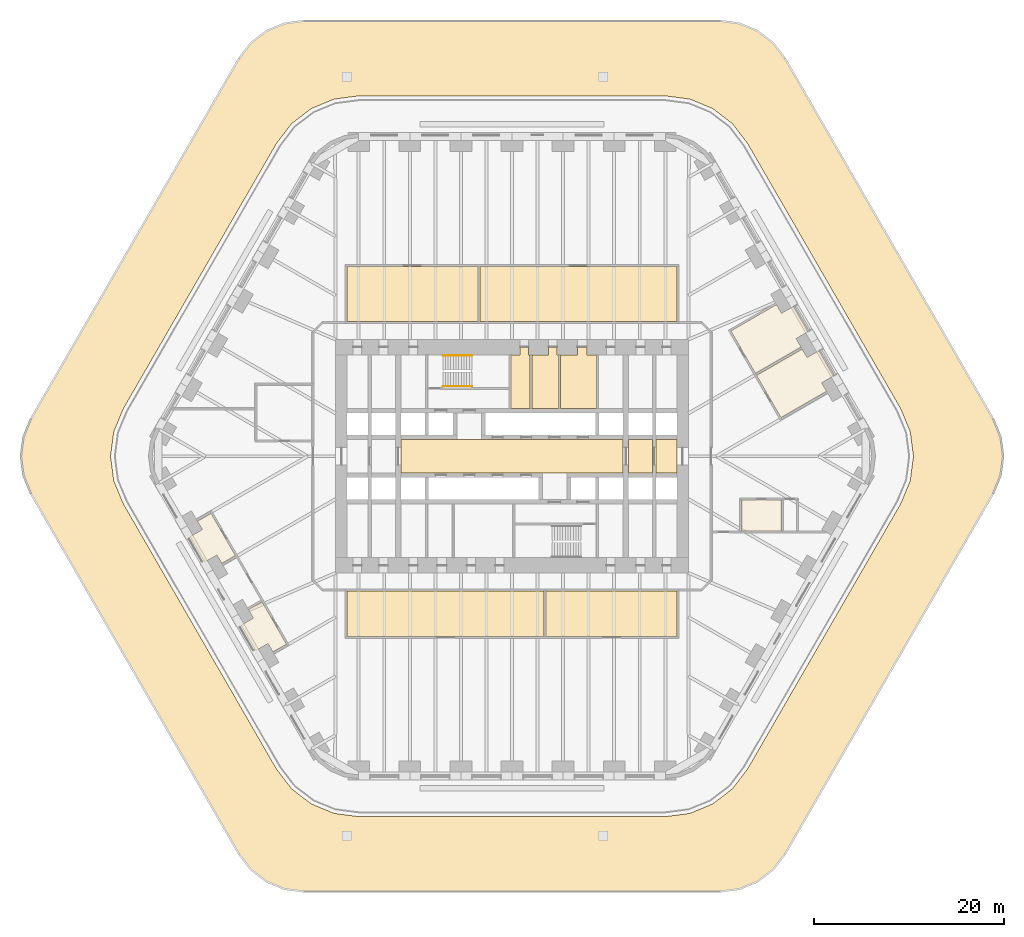
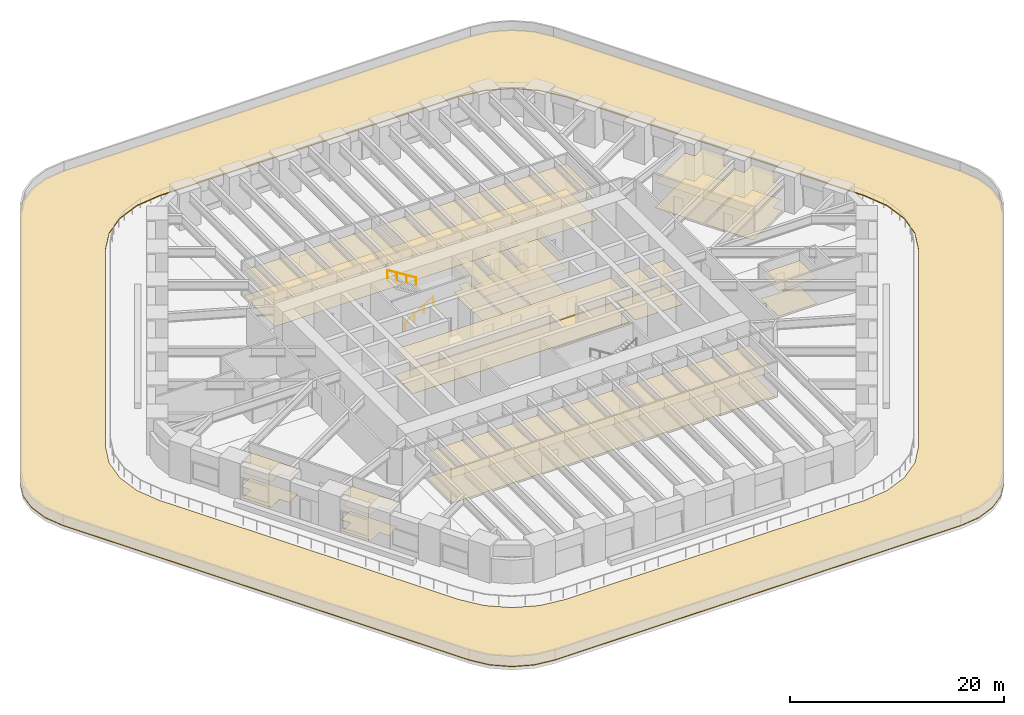
# One storey, part 16 of 17: 15 coverings, 2 railings.
"""IFC4 building model written with IfcOpenShell, lengths in metres."""

from ifc_helpers import new_model, si_unit, direction, frame, origin, origin_2d, place, context, subcontext, project, spatial, polyline, circle, outline, extrude, material, layer, layer_set, type_object, element, save


model = new_model("IFC4")

# Units and contexts
model_context = context("Model", 3, precision=1e-05, world=origin(), true_north=direction((0.0, 1.0)))
body_context = subcontext(model_context, "Body", "Model", "MODEL_VIEW")
ifc_project = project(units=[si_unit("LENGTHUNIT", "METRE"), si_unit("AREAUNIT", "SQUARE_METRE"), si_unit("VOLUMEUNIT", "CUBIC_METRE"), si_unit("PLANEANGLEUNIT", "RADIAN"), si_unit("MASSUNIT", "GRAM", prefix="KILO")], contexts=[model_context])

# Site, building, storey
site_placement = place(None, origin())
site = spatial("IfcSite", under=ifc_project, at=site_placement, CompositionType="ELEMENT")
building_placement = place(site_placement, origin())
building = spatial("IfcBuilding", under=site, at=building_placement, Name="Tarfa Lantern Tower", CompositionType="ELEMENT")
storey_placement = place(building_placement, frame((0.0, 0.0, 23.5)))
storey = spatial("IfcBuildingStorey", under=building, at=storey_placement, Name="L04", CompositionType="ELEMENT", Elevation=23.5)

# Coverings
ifc_material_1 = material(Name="Mineral fibre acoustic tile on suspension grid", Category="finish")
ifc_layer_1 = layer(ifc_material_1, 0.02001953125)
ifc_layer_set_1 = layer_set([ifc_layer_1], Name="CL1 ACOUSTIC TILE CEILING 20")
covering_type_1 = type_object("IfcCoveringType", Name="CL1 ACOUSTIC TILE CEILING 20", PredefinedType="CEILING", material=ifc_layer_set_1)
covering_1_placement = place(storey_placement, frame((0.0, 0.0, 2.89990234375)))
element("IfcCovering", 1, at=covering_1_placement, inside=storey, type_object=covering_type_1, Name="Ceiling L04 CL1", PredefinedType="CEILING", context=body_context, shape_type="SweptSolid", body=[
    extrude(outline(polyline([(-17.39990234375, 20.0), (-3.60009765625, 20.0), (-3.60009765625, 14.199951171875), (-17.39990234375, 14.199951171875), (-17.39990234375, 20.0)])), origin(), (0.0, 0.0, 1.0), 0.02001953125),
    extrude(outline(polyline([(-3.39990234375, 20.0), (17.39990234375, 20.0), (17.39990234375, 14.199951171875), (-3.39990234375, 14.199951171875), (-3.39990234375, 20.0)])), origin(), (0.0, 0.0, 1.0), 0.02001953125),
    extrude(outline(polyline([(3.60009765625, -14.199951171875), (17.39990234375, -14.199951171875), (17.39990234375, -19.0), (3.60009765625, -19.0), (3.60009765625, -14.199951171875)])), origin(), (0.0, 0.0, 1.0), 0.02001953125),
    extrude(outline(polyline([(-17.39990234375, -14.199951171875), (3.39990234375, -14.199951171875), (3.39990234375, -19.0), (-17.39990234375, -19.0), (-17.39990234375, -14.199951171875)])), origin(), (0.0, 0.0, 1.0), 0.02001953125),
    extrude(outline(polyline([(25.780517578125, 8.546630859375), (30.5869140625, 11.32177734375), (31.112060546875, 10.412353515625), (32.4111328125, 11.162353515625), (33.955322265625, 8.487548828125), (32.65625, 7.737548828125), (33.181396484375, 6.828369140625), (28.375, 4.05322265625), (25.780517578125, 8.546630859375)])), origin(), (0.0, 0.0, 1.0), 0.02001953125),
    extrude(outline(polyline([(23.086181640625, 13.21337890625), (27.892822265625, 15.98828125), (28.417724609375, 15.0791015625), (29.716796875, 15.8291015625), (31.260986328125, 13.154296875), (29.9619140625, 12.404296875), (30.487060546875, 11.494873046875), (25.6806640625, 8.719970703125), (23.086181640625, 13.21337890625)])), origin(), (0.0, 0.0, 1.0), 0.02001953125),
    extrude(outline(polyline([(-29.157958984375, -10.496826171875), (-30.5869140625, -11.32177734375), (-31.112060546875, -10.412353515625), (-32.4111328125, -11.162353515625), (-33.955322265625, -8.487548828125), (-32.65625, -7.737548828125), (-33.181396484375, -6.828369140625), (-31.75244140625, -6.003173828125), (-29.157958984375, -10.496826171875)])), origin(), (0.0, 0.0, 1.0), 0.02001953125),
    extrude(outline(polyline([(-23.76953125, -19.830078125), (-25.198486328125, -20.655029296875), (-25.723388671875, -19.745849609375), (-27.0224609375, -20.495849609375), (-28.566650390625, -17.821044921875), (-27.267822265625, -17.071044921875), (-27.792724609375, -16.16162109375), (-26.36376953125, -15.336669921875), (-23.76953125, -19.830078125)])), origin(), (0.0, 0.0, 1.0), 0.02001953125),
    extrude(outline(polyline([(28.405517578125, -4.60009765625), (28.405517578125, -7.89990234375), (24.205322265625, -7.89990234375), (24.205322265625, -4.60009765625), (28.405517578125, -4.60009765625)])), origin(), (0.0, 0.0, 1.0), 0.02001953125),
])
ifc_material_2 = material(Name="Moisture-resistant plasterboard", Category="finish")
ifc_layer_2 = layer(ifc_material_2, 0.014892578125)
ifc_layer_set_2 = layer_set([ifc_layer_2], Name="CL2 MOISTURE-RESISTANT PLASTERBOARD CEILING 15")
covering_type_2 = type_object("IfcCoveringType", Name="CL2 MOISTURE-RESISTANT PLASTERBOARD CEILING 15", PredefinedType="CEILING", material=ifc_layer_set_2)
covering_2_placement = place(storey_placement, frame((0.0, 0.0, 2.89990234375)))
element("IfcCovering", 2, at=covering_2_placement, inside=storey, type_object=covering_type_2, Name="Ceiling L04-09", PredefinedType="CEILING", context=body_context, shape_type="SweptSolid", body=[
    extrude(outline(polyline([(0.85009765625, 10.699951171875), (-0.10009765625, 10.699951171875), (-0.10009765625, 5.050048828125), (1.89990234375, 5.050048828125), (1.89990234375, 10.699951171875), (1.75, 10.699951171875), (1.75, 11.5), (1.75, 11.5), (0.85009765625, 11.5), (0.85009765625, 10.699951171875)])), origin(), (0.0, 0.0, 1.0), 0.01513671875),
])
covering_3_placement = place(storey_placement, frame((0.0, 0.0, 2.89990234375)))
element("IfcCovering", 3, at=covering_3_placement, inside=storey, type_object=covering_type_2, Name="Ceiling L04-10", PredefinedType="CEILING", context=body_context, shape_type="SweptSolid", body=[
    extrude(outline(polyline([(2.10009765625, 5.050048828125), (4.89990234375, 5.050048828125), (4.89990234375, 10.699951171875), (4.75, 10.699951171875), (4.75, 11.5), (3.85009765625, 11.5), (3.85009765625, 10.699951171875), (2.10009765625, 10.699951171875), (2.10009765625, 5.050048828125)])), origin(), (0.0, 0.0, 1.0), 0.01513671875),
])
covering_4_placement = place(storey_placement, frame((0.0, 0.0, 2.89990234375)))
element("IfcCovering", 4, at=covering_4_placement, inside=storey, type_object=covering_type_2, Name="Ceiling L04-11", PredefinedType="CEILING", context=body_context, shape_type="SweptSolid", body=[
    extrude(outline(polyline([(5.10009765625, 5.050048828125), (8.89990234375, 5.050048828125), (8.89990234375, 10.699951171875), (7.89990234375, 10.699951171875), (7.89990234375, 11.5), (6.89990234375, 11.5), (6.89990234375, 10.699951171875), (5.10009765625, 10.699951171875), (5.10009765625, 5.050048828125)])), origin(), (0.0, 0.0, 1.0), 0.01513671875),
])
ifc_material_3 = material(Name="Powder-coated aluminium panel", Category="aluminium")
ifc_layer_3 = layer(ifc_material_3, 0.030029296875)
ifc_layer_set_3 = layer_set([ifc_layer_3], Name="CL3 METAL PANEL CEILING 30")
covering_type_3 = type_object("IfcCoveringType", Name="CL3 METAL PANEL CEILING 30", PredefinedType="CEILING", material=ifc_layer_set_3)
covering_5_placement = place(storey_placement, frame((0.0, 0.0, 2.89990234375)))
element("IfcCovering", 5, at=covering_5_placement, inside=storey, type_object=covering_type_3, Name="Ceiling L04-03", PredefinedType="CEILING", context=body_context, shape_type="SweptSolid", body=[
    extrude(outline(polyline([(-11.699951171875, -1.75), (11.699951171875, -1.75), (11.699951171875, 1.75), (-11.699951171875, 1.75), (-11.699951171875, -1.75)])), origin(), (0.0, 0.0, 1.0), 0.030029296875),
])
covering_6_placement = place(storey_placement, frame((0.0, 0.0, 2.89990234375)))
element("IfcCovering", 6, at=covering_6_placement, inside=storey, type_object=covering_type_3, Name="Ceiling L04-04", PredefinedType="CEILING", context=body_context, shape_type="SweptSolid", body=[
    extrude(outline(polyline([(12.300048828125, -1.75), (14.800048828125, -1.75), (14.800048828125, 1.75), (12.300048828125, 1.75), (12.300048828125, -1.75)])), origin(), (0.0, 0.0, 1.0), 0.030029296875),
])
covering_7_placement = place(storey_placement, frame((0.0, 0.0, 2.89990234375)))
element("IfcCovering", 7, at=covering_7_placement, inside=storey, type_object=covering_type_3, Name="Ceiling L04-05", PredefinedType="CEILING", context=body_context, shape_type="SweptSolid", body=[
    extrude(outline(polyline([(15.199951171875, -1.75), (17.39990234375, -1.75), (17.39990234375, 1.75), (15.199951171875, 1.75), (15.199951171875, -1.75)])), origin(), (0.0, 0.0, 1.0), 0.030029296875),
])
ifc_material_4 = material(Name="Nylon carpet tile", Category="finish")
ifc_layer_4 = layer(ifc_material_4, 0.010009765625)
ifc_layer_set_4 = layer_set([ifc_layer_4], Name="FL1 CARPET TILE 10")
covering_type_4 = type_object("IfcCoveringType", Name="FL1 CARPET TILE 10", PredefinedType="FLOORING", material=ifc_layer_set_4)
covering_8_placement = place(storey_placement, origin())
element("IfcCovering", 8, at=covering_8_placement, inside=storey, type_object=covering_type_4, Name="Floor finish L04 FL1", PredefinedType="FLOORING", context=body_context, shape_type="SweptSolid", body=[
    extrude(outline(polyline([(-17.39990234375, 20.0), (-3.60009765625, 20.0), (-3.60009765625, 14.199951171875), (-17.39990234375, 14.199951171875), (-17.39990234375, 20.0)])), origin(), (0.0, 0.0, 1.0), 0.010009765625),
    extrude(outline(polyline([(-3.39990234375, 20.0), (17.39990234375, 20.0), (17.39990234375, 14.199951171875), (-3.39990234375, 14.199951171875), (-3.39990234375, 20.0)])), origin(), (0.0, 0.0, 1.0), 0.010009765625),
    extrude(outline(polyline([(3.60009765625, -14.199951171875), (17.39990234375, -14.199951171875), (17.39990234375, -19.0), (3.60009765625, -19.0), (3.60009765625, -14.199951171875)])), origin(), (0.0, 0.0, 1.0), 0.010009765625),
    extrude(outline(polyline([(-17.39990234375, -14.199951171875), (3.39990234375, -14.199951171875), (3.39990234375, -19.0), (-17.39990234375, -19.0), (-17.39990234375, -14.199951171875)])), origin(), (0.0, 0.0, 1.0), 0.010009765625),
    extrude(outline(polyline([(25.780517578125, 8.546630859375), (30.5869140625, 11.32177734375), (31.112060546875, 10.412353515625), (32.4111328125, 11.162353515625), (33.955322265625, 8.487548828125), (32.65625, 7.737548828125), (33.181396484375, 6.828369140625), (28.375, 4.05322265625), (25.780517578125, 8.546630859375)])), origin(), (0.0, 0.0, 1.0), 0.010009765625),
    extrude(outline(polyline([(23.086181640625, 13.21337890625), (27.892822265625, 15.98828125), (28.417724609375, 15.0791015625), (29.716796875, 15.8291015625), (31.260986328125, 13.154296875), (29.9619140625, 12.404296875), (30.487060546875, 11.494873046875), (25.6806640625, 8.719970703125), (23.086181640625, 13.21337890625)])), origin(), (0.0, 0.0, 1.0), 0.010009765625),
    extrude(outline(polyline([(-29.157958984375, -10.496826171875), (-30.5869140625, -11.32177734375), (-31.112060546875, -10.412353515625), (-32.4111328125, -11.162353515625), (-33.955322265625, -8.487548828125), (-32.65625, -7.737548828125), (-33.181396484375, -6.828369140625), (-31.75244140625, -6.003173828125), (-29.157958984375, -10.496826171875)])), origin(), (0.0, 0.0, 1.0), 0.010009765625),
    extrude(outline(polyline([(-23.76953125, -19.830078125), (-25.198486328125, -20.655029296875), (-25.723388671875, -19.745849609375), (-27.0224609375, -20.495849609375), (-28.566650390625, -17.821044921875), (-27.267822265625, -17.071044921875), (-27.792724609375, -16.16162109375), (-26.36376953125, -15.336669921875), (-23.76953125, -19.830078125)])), origin(), (0.0, 0.0, 1.0), 0.010009765625),
    extrude(outline(polyline([(28.405517578125, -4.60009765625), (28.405517578125, -7.89990234375), (24.205322265625, -7.89990234375), (24.205322265625, -4.60009765625), (28.405517578125, -4.60009765625)])), origin(), (0.0, 0.0, 1.0), 0.010009765625),
])
ifc_material_5 = material(Name="Honed limestone flooring", Category="masonry")
ifc_layer_5 = layer(ifc_material_5, 0.030029296875)
ifc_layer_set_5 = layer_set([ifc_layer_5], Name="FL2 STONE FLOORING 30")
covering_type_5 = type_object("IfcCoveringType", Name="FL2 STONE FLOORING 30", PredefinedType="FLOORING", material=ifc_layer_set_5)
covering_9_placement = place(storey_placement, origin())
element("IfcCovering", 9, at=covering_9_placement, inside=storey, type_object=covering_type_5, Name="Floor finish L04-03", PredefinedType="FLOORING", context=body_context, shape_type="SweptSolid", body=[
    extrude(outline(polyline([(-11.699951171875, -1.75), (11.699951171875, -1.75), (11.699951171875, 1.75), (-11.699951171875, 1.75), (-11.699951171875, -1.75)])), origin(), (0.0, 0.0, 1.0), 0.030029296875),
])
covering_10_placement = place(storey_placement, origin())
element("IfcCovering", 10, at=covering_10_placement, inside=storey, type_object=covering_type_5, Name="Floor finish L04-04", PredefinedType="FLOORING", context=body_context, shape_type="SweptSolid", body=[
    extrude(outline(polyline([(12.300048828125, -1.75), (14.800048828125, -1.75), (14.800048828125, 1.75), (12.300048828125, 1.75), (12.300048828125, -1.75)])), origin(), (0.0, 0.0, 1.0), 0.030029296875),
])
covering_11_placement = place(storey_placement, origin())
element("IfcCovering", 11, at=covering_11_placement, inside=storey, type_object=covering_type_5, Name="Floor finish L04-05", PredefinedType="FLOORING", context=body_context, shape_type="SweptSolid", body=[
    extrude(outline(polyline([(15.199951171875, -1.75), (17.39990234375, -1.75), (17.39990234375, 1.75), (15.199951171875, 1.75), (15.199951171875, -1.75)])), origin(), (0.0, 0.0, 1.0), 0.030029296875),
])
ifc_material_6 = material(Name="Porcelain floor tile", Category="finish")
ifc_layer_6 = layer(ifc_material_6, 0.011962890625)
ifc_layer_set_6 = layer_set([ifc_layer_6], Name="FL3 CERAMIC TILE 12")
covering_type_6 = type_object("IfcCoveringType", Name="FL3 CERAMIC TILE 12", PredefinedType="FLOORING", material=ifc_layer_set_6)
covering_12_placement = place(storey_placement, origin())
element("IfcCovering", 12, at=covering_12_placement, inside=storey, type_object=covering_type_6, Name="Floor finish L04-09", PredefinedType="FLOORING", context=body_context, shape_type="SweptSolid", body=[
    extrude(outline(polyline([(0.85009765625, 10.699951171875), (-0.10009765625, 10.699951171875), (-0.10009765625, 5.050048828125), (1.89990234375, 5.050048828125), (1.89990234375, 10.699951171875), (1.75, 10.699951171875), (1.75, 11.5), (1.75, 11.5), (0.85009765625, 11.5), (0.85009765625, 10.699951171875)])), origin(), (0.0, 0.0, 1.0), 0.011962890625),
])
covering_13_placement = place(storey_placement, origin())
element("IfcCovering", 13, at=covering_13_placement, inside=storey, type_object=covering_type_6, Name="Floor finish L04-10", PredefinedType="FLOORING", context=body_context, shape_type="SweptSolid", body=[
    extrude(outline(polyline([(2.10009765625, 5.050048828125), (4.89990234375, 5.050048828125), (4.89990234375, 10.699951171875), (4.75, 10.699951171875), (4.75, 11.5), (3.85009765625, 11.5), (3.85009765625, 10.699951171875), (2.10009765625, 10.699951171875), (2.10009765625, 5.050048828125)])), origin(), (0.0, 0.0, 1.0), 0.011962890625),
])
covering_14_placement = place(storey_placement, origin())
element("IfcCovering", 14, at=covering_14_placement, inside=storey, type_object=covering_type_6, Name="Floor finish L04-11", PredefinedType="FLOORING", context=body_context, shape_type="SweptSolid", body=[
    extrude(outline(polyline([(5.10009765625, 5.050048828125), (8.89990234375, 5.050048828125), (8.89990234375, 10.699951171875), (7.89990234375, 10.699951171875), (7.89990234375, 11.5), (6.89990234375, 11.5), (6.89990234375, 10.699951171875), (5.10009765625, 10.699951171875), (5.10009765625, 5.050048828125)])), origin(), (0.0, 0.0, 1.0), 0.011962890625),
])

# Railings
ifc_material_7 = material(Name="Stainless steel", Category="steel")
railing_type = type_object("IfcRailingType", Name="HR1 HANDRAIL 900", PredefinedType="HANDRAIL", material=ifc_material_7)
railing_1_placement = place(storey_placement, frame((-7.300048828125, 7.3798828125, 0.175048828125)))
element("IfcRailing", 15, at=railing_1_placement, inside=storey, type_object=railing_type, Name="Handrail 1", PredefinedType="HANDRAIL", context=body_context, shape_type="SweptSolid", body=[
    extrude(circle(Radius=0.02392578125, at=origin_2d()), frame((0.0, 0.0, 0.8759765625), z_axis=(0.847998304005, 0.0, 0.529998940003), x_axis=(0.0, 1.0, 0.0)), (0.0, 0.0, 1.0), 3.632080078125),
    extrude(circle(Radius=0.02099609375, at=origin_2d()), frame((0.0, 0.0, 0.0), z_axis=(0.0, 0.0, 1.0), x_axis=(0.0, 1.0, 0.0)), (0.0, 0.0, 1.0), 0.851806640625),
    extrude(circle(Radius=0.02099609375, at=origin_2d()), frame((1.026611328125, 0.0, 0.6416015625), z_axis=(0.0, 0.0, 1.0), x_axis=(0.0, 1.0, 0.0)), (0.0, 0.0, 1.0), 0.851806640625),
    extrude(circle(Radius=0.02099609375, at=origin_2d()), frame((2.053466796875, 0.0, 1.283447265625), z_axis=(0.0, 0.0, 1.0), x_axis=(0.0, 1.0, 0.0)), (0.0, 0.0, 1.0), 0.851806640625),
    extrude(circle(Radius=0.02099609375, at=origin_2d()), frame((3.080078125, 0.0, 1.925048828125), z_axis=(0.0, 0.0, 1.0), x_axis=(0.0, 1.0, 0.0)), (0.0, 0.0, 1.0), 0.851806640625),
])
railing_2_placement = place(storey_placement, frame((-4.219970703125, 10.6201171875, 2.27490234375)))
element("IfcRailing", 16, at=railing_2_placement, inside=storey, type_object=railing_type, Name="Handrail 2", PredefinedType="HANDRAIL", context=body_context, shape_type="SweptSolid", body=[
    extrude(circle(Radius=0.02392578125, at=origin_2d()), frame((0.0, 0.0, 0.8759765625), z_axis=(-0.847998304005, 0.0, 0.529998940003), x_axis=(0.0, -1.0, 0.0)), (0.0, 0.0, 1.0), 3.632080078125),
    extrude(circle(Radius=0.02099609375, at=origin_2d()), frame((0.0, 0.0, 0.0), z_axis=(0.0, 0.0, 1.0), x_axis=(0.0, -1.0, 0.0)), (0.0, 0.0, 1.0), 0.851806640625),
    extrude(circle(Radius=0.02099609375, at=origin_2d()), frame((-1.026611328125, 0.0, 0.6416015625), z_axis=(0.0, 0.0, 1.0), x_axis=(0.0, -1.0, 0.0)), (0.0, 0.0, 1.0), 0.851806640625),
    extrude(circle(Radius=0.02099609375, at=origin_2d()), frame((-2.053466796875, 0.0, 1.283447265625), z_axis=(0.0, 0.0, 1.0), x_axis=(0.0, -1.0, 0.0)), (0.0, 0.0, 1.0), 0.851806640625),
    extrude(circle(Radius=0.02099609375, at=origin_2d()), frame((-3.080078125, 0.0, 1.925048828125), z_axis=(0.0, 0.0, 1.0), x_axis=(0.0, -1.0, 0.0)), (0.0, 0.0, 1.0), 0.851806640625),
])

# Covering
ifc_material_8 = material(Name="Bituminous membrane, insulation and concrete pavers", Category="concrete")
ifc_layer_7 = layer(ifc_material_8, 0.10009765625)
ifc_layer_set_7 = layer_set([ifc_layer_7], Name="RF1 ROOF MEMBRANE AND PAVERS 100")
covering_type_7 = type_object("IfcCoveringType", Name="RF1 ROOF MEMBRANE AND PAVERS 100", PredefinedType="ROOFING", material=ifc_layer_set_7)
covering_15_placement = place(storey_placement, origin())
element("IfcCovering", 17, at=covering_15_placement, inside=storey, type_object=covering_type_7, Name="Roofing Podium green roof", PredefinedType="ROOFING", context=body_context, shape_type="SweptSolid", body=[
    extrude(outline(polyline([(50.806884765625, 4.0), (28.867431640625, 42.0), (27.59619140625, 43.65673828125), (25.939208984375, 44.92822265625), (24.009765625, 45.727294921875), (21.939208984375, 46.0), (-21.939208984375, 46.0), (-24.009765625, 45.727294921875), (-25.939208984375, 44.92822265625), (-27.59619140625, 43.65673828125), (-28.867431640625, 42.0), (-50.806884765625, 4.0), (-51.60595703125, 2.070556640625), (-51.878662109375, 0.0), (-51.60595703125, -2.070556640625), (-50.806884765625, -4.0), (-28.867431640625, -42.0), (-27.59619140625, -43.65673828125), (-25.939208984375, -44.92822265625), (-24.009765625, -45.727294921875), (-21.939208984375, -46.0), (21.939208984375, -46.0), (24.009765625, -45.727294921875), (25.939208984375, -44.92822265625), (27.59619140625, -43.65673828125), (28.867431640625, -42.0), (50.806884765625, -4.0), (51.60595703125, -2.070556640625), (51.878662109375, 0.0), (51.60595703125, 2.070556640625), (50.806884765625, 4.0)]), holes=[polyline([(40.991943359375, 5.0), (24.826171875, 33.0), (23.23681640625, 35.071044921875), (21.165771484375, 36.66015625), (18.75390625, 37.6591796875), (16.165771484375, 38.0), (-16.165771484375, 38.0), (-18.75390625, 37.6591796875), (-21.165771484375, 36.66015625), (-23.23681640625, 35.071044921875), (-24.826171875, 33.0), (-40.991943359375, 5.0), (-41.990966796875, 2.588134765625), (-42.33154296875, 0.0), (-41.990966796875, -2.588134765625), (-40.991943359375, -5.0), (-24.826171875, -33.0), (-23.23681640625, -35.071044921875), (-21.165771484375, -36.66015625), (-18.75390625, -37.6591796875), (-16.165771484375, -38.0), (16.165771484375, -38.0), (18.75390625, -37.6591796875), (21.165771484375, -36.66015625), (23.23681640625, -35.071044921875), (24.826171875, -33.0), (40.991943359375, -5.0), (41.990966796875, -2.588134765625), (42.33154296875, 0.0), (41.990966796875, 2.588134765625), (40.991943359375, 5.0)])]), origin(), (0.0, 0.0, 1.0), 0.10009765625),
])

save(model, "model.ifc")
